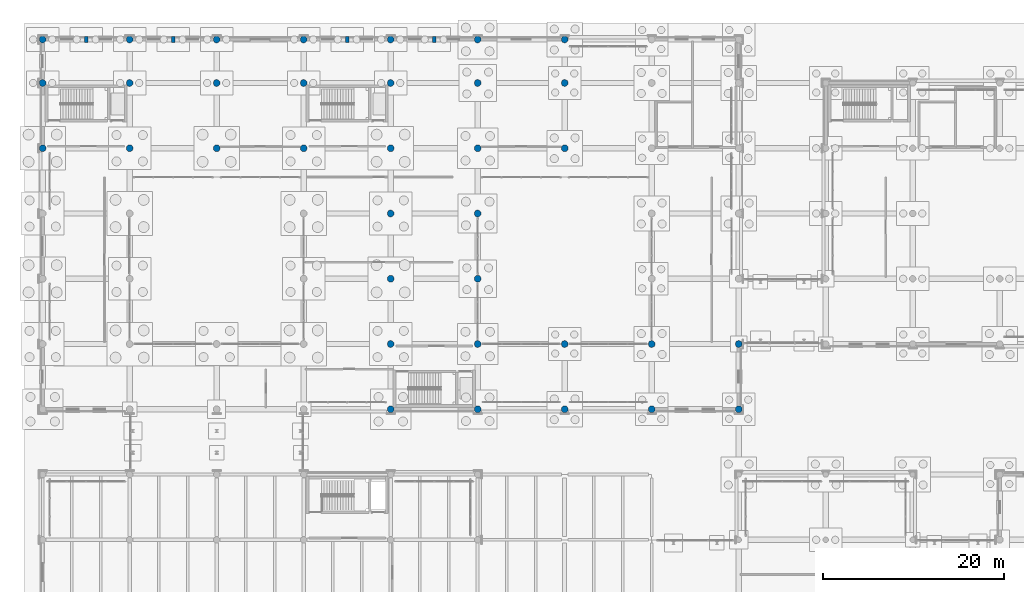
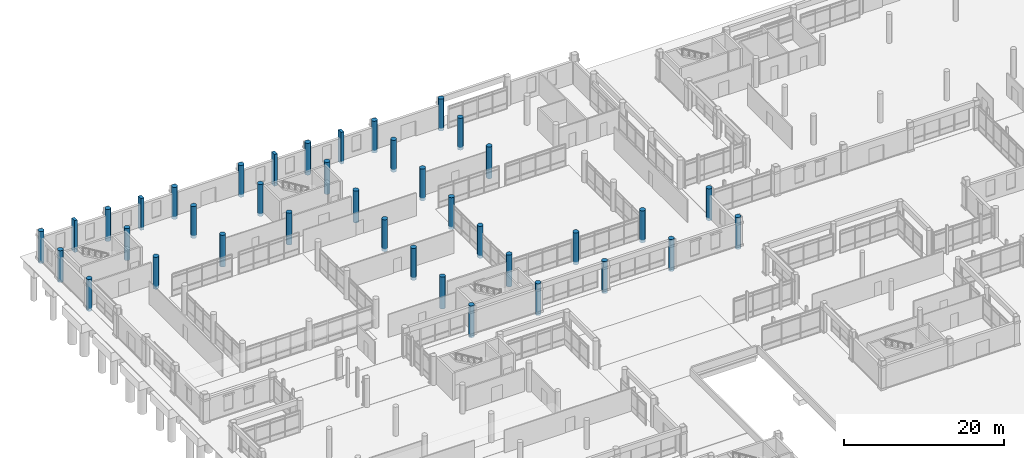
# One storey, part 17 of 196: 39 columns.
"""IFC4 building model written with IfcOpenShell, lengths in metres."""

from ifc_helpers import new_model, si_unit, direction, frame, origin, origin_2d, place, context, subcontext, project, spatial, rectangle, circle, extrude, material, material_profile, profile_set, type_object, element, save


model = new_model("IFC4")

# Units and contexts
model_context = context("Model", 3, precision=1e-05, world=origin(), true_north=direction((0.0, 1.0)))
body_context = subcontext(model_context, "Body", "Model", "MODEL_VIEW")
ifc_project = project(units=[si_unit("LENGTHUNIT", "METRE"), si_unit("AREAUNIT", "SQUARE_METRE"), si_unit("VOLUMEUNIT", "CUBIC_METRE"), si_unit("PLANEANGLEUNIT", "RADIAN"), si_unit("MASSUNIT", "GRAM", prefix="KILO")], contexts=[model_context])

# Site, building, storey
site_placement = place(None, origin())
site = spatial("IfcSite", under=ifc_project, at=site_placement, CompositionType="ELEMENT")
building_placement = place(site_placement, origin())
building = spatial("IfcBuilding", under=site, at=building_placement, Name="Asteropetra Specialist Clinic", CompositionType="ELEMENT")
storey_placement = place(building_placement, origin())
storey = spatial("IfcBuildingStorey", under=building, at=storey_placement, Name="L00", CompositionType="ELEMENT", Elevation=0.0)

# Columns
ifc_material_1 = material(Name="Concrete C35/45", Category="concrete")
ifc_material_profile_1 = material_profile(ifc_material_1, circle(Radius=0.375, at=origin_2d()), Name="RCC D750")
ifc_profile_set_1 = profile_set([ifc_material_profile_1], Name="Concrete C35/45")
column_type_1 = type_object("IfcColumnType", Name="COL-DORIC750", PredefinedType="COLUMN", material=ifc_profile_set_1)
for number, where, z_axis, x_axis, name in (
    (1, (0.0, 98.39990234375, -0.43994140625), (0.0, 0.0, 1.0), (1.0, 0.0, 0.0), "Column CCOL12-0063"),
    (2, (0.0, 105.60009765625, -0.43994140625), (0.0, 0.0, 1.0), (1.0, 0.0, 0.0), "Column CCOL12-0069"),
    (3, (0.0, 110.39990234375, -0.43994140625), (0.0, 0.0, 1.0), (1.0, 0.0, 0.0), "Column CCOL12-0075"),
    (4, (9.60009765625, 98.39990234375, -0.43994140625), (0.0, 0.0, 1.0), (1.0, 0.0, 0.0), "Column CCOL12-0143"),
    (5, (9.60009765625, 105.60009765625, -0.43994140625), (0.0, 0.0, 1.0), (1.0, 0.0, 0.0), "Column CCOL12-0149"),
    (6, (9.60009765625, 110.39990234375, -0.43994140625), (0.0, 0.0, 1.0), (1.0, 0.0, 0.0), "Column CCOL12-0155"),
    (7, (19.199951171875, 98.39990234375, -0.43994140625), (0.0, 0.0, 1.0), (1.0, 0.0, 0.0), "Column CCOL12-0243"),
    (8, (19.199951171875, 105.60009765625, -0.43994140625), (0.0, 0.0, 1.0), (1.0, 0.0, 0.0), "Column CCOL12-0249"),
    (9, (19.199951171875, 110.39990234375, -0.43994140625), (0.0, 0.0, 1.0), (1.0, 0.0, 0.0), "Column CCOL12-0255"),
    (10, (28.800048828125, 98.39990234375, -0.43994140625), (0.0, 0.0, 1.0), (1.0, 0.0, 0.0), "Column CCOL12-0339"),
    (11, (28.800048828125, 105.60009765625, -0.43994140625), (0.0, 0.0, 1.0), (1.0, 0.0, 0.0), "Column CCOL12-0345"),
    (12, (28.800048828125, 110.39990234375, -0.43994140625), (0.0, 0.0, 1.0), (1.0, 0.0, 0.0), "Column CCOL12-0351"),
    (13, (38.39990234375, 69.60009765625, -0.43994140625), (0.0, 0.0, 1.0), (1.0, 0.0, 0.0), "Column CCOL12-0397"),
    (14, (38.39990234375, 76.800048828125, -0.43994140625), (0.0, 0.0, 1.0), (1.0, 0.0, 0.0), "Column CCOL12-0401"),
    (15, (38.39990234375, 84.0, -0.43994140625), (0.0, 0.0, 1.0), (1.0, 0.0, 0.0), "Column CCOL12-0407"),
    (16, (38.39990234375, 91.199951171875, -0.43994140625), (0.0, 0.0, 1.0), (1.0, 0.0, 0.0), "Column CCOL12-0413"),
    (17, (38.39990234375, 98.39990234375, -0.43994140625), (0.0, 0.0, 1.0), (1.0, 0.0, 0.0), "Column CCOL12-0419"),
    (18, (38.39990234375, 105.60009765625, -0.43994140625), (0.0, 0.0, 1.0), (1.0, 0.0, 0.0), "Column CCOL12-0425"),
    (19, (38.39990234375, 110.39990234375, -0.43994140625), (0.0, 0.0, 1.0), (1.0, 0.0, 0.0), "Column CCOL12-0431"),
    (20, (48.0, 69.60009765625, -0.43994140625), (0.0, 0.0, 1.0), (1.0, 0.0, 0.0), "Column CCOL12-0467"),
    (21, (48.0, 76.800048828125, -0.43994140625), (0.0, 0.0, 1.0), (1.0, 0.0, 0.0), "Column CCOL12-0471"),
    (22, (48.0, 84.0, -0.43994140625), (0.0, 0.0, 1.0), (1.0, 0.0, 0.0), "Column CCOL12-0475"),
    (23, (48.0, 91.199951171875, -0.43994140625), (0.0, 0.0, 1.0), (1.0, 0.0, 0.0), "Column CCOL12-0479"),
    (24, (48.0, 98.39990234375, -0.43994140625), (0.0, 0.0, 1.0), (1.0, 0.0, 0.0), "Column CCOL12-0483"),
    (25, (48.0, 105.60009765625, -0.43994140625), (0.0, 0.0, 1.0), (1.0, 0.0, 0.0), "Column CCOL12-0487"),
    (26, (48.0, 110.39990234375, -0.43994140625), (0.0, 0.0, 1.0), (1.0, 0.0, 0.0), "Column CCOL12-0491"),
    (27, (57.60009765625, 69.60009765625, -0.43994140625), (0.0, 0.0, 1.0), (1.0, 0.0, 0.0), "Column CCOL12-0515"),
    (28, (57.60009765625, 76.800048828125, -0.43994140625), (0.0, 0.0, 1.0), (1.0, 0.0, 0.0), "Column CCOL12-0517"),
    (29, (57.60009765625, 98.39990234375, -0.43994140625), (0.0, 0.0, 1.0), (1.0, 0.0, 0.0), "Column CCOL12-0519"),
    (30, (57.60009765625, 105.60009765625, -0.43994140625), (0.0, 0.0, 1.0), (1.0, 0.0, 0.0), "Column CCOL12-0521"),
    (31, (57.60009765625, 110.39990234375, -0.43994140625), (0.0, 0.0, 1.0), (1.0, 0.0, 0.0), "Column CCOL12-0523"),
    (32, (67.199951171875, 69.60009765625, -0.43994140625), (0.0, 0.0, 1.0), (1.0, 0.0, 0.0), "Column CCOL12-0535"),
    (33, (67.199951171875, 76.800048828125, -0.43994140625), (0.0, 0.0, 1.0), (1.0, 0.0, 0.0), "Column CCOL12-0537"),
    (34, (76.800048828125, 69.60009765625, -0.43994140625), (0.0, 0.0, 1.0), (1.0, 0.0, 0.0), "Column CCOL12-0564"),
    (35, (76.800048828125, 76.800048828125, -0.43994140625), (0.0, 0.0, 1.0), (1.0, 0.0, 0.0), "Column CCOL12-0566"),
):
    element("IfcColumn", number, at=place(storey_placement, frame(where, z_axis=z_axis, x_axis=x_axis)), inside=storey, type_object=column_type_1, Name=name, PredefinedType="COLUMN", context=body_context, shape_type="SweptSolid", body=[
        extrude(circle(Radius=0.375, at=origin_2d()), origin(), (0.0, 0.0, 1.0), 4.85986328125),
    ])
ifc_material_2 = material(Name="Concrete C35/45", Category="concrete")
ifc_material_profile_2 = material_profile(ifc_material_2, rectangle(XDim=0.419921875, YDim=0.699951171875, at=origin_2d()), Name="PIL 420x700")
ifc_profile_set_2 = profile_set([ifc_material_profile_2], Name="Concrete C35/45")
column_type_2 = type_object("IfcColumnType", Name="PIL-RC420x700", PredefinedType="PILASTER", material=ifc_profile_set_2)
for number, where, z_axis, x_axis, name in (
    (36, (4.800048828125, 110.39990234375, -0.43994140625), (0.0, 0.0, 1.0), (1.0, 0.0, 0.0), "Neoclassical Pilaster PL-L00-01"),
    (37, (14.39990234375, 110.39990234375, -0.43994140625), (0.0, 0.0, 1.0), (1.0, 0.0, 0.0), "Neoclassical Pilaster PL-L00-02"),
    (38, (33.60009765625, 110.39990234375, -0.43994140625), (0.0, 0.0, 1.0), (1.0, 0.0, 0.0), "Neoclassical Pilaster PL-L00-03"),
    (39, (43.199951171875, 110.39990234375, -0.43994140625), (0.0, 0.0, 1.0), (1.0, 0.0, 0.0), "Neoclassical Pilaster PL-L00-04"),
):
    element("IfcColumn", number, at=place(storey_placement, frame(where, z_axis=z_axis, x_axis=x_axis)), inside=storey, type_object=column_type_2, Name=name, PredefinedType="PILASTER", context=body_context, shape_type="SweptSolid", body=[
        extrude(rectangle(XDim=0.419921875, YDim=0.699951171875, at=origin_2d()), origin(), (0.0, 0.0, 1.0), 4.85986328125),
    ])

save(model, "model.ifc")
